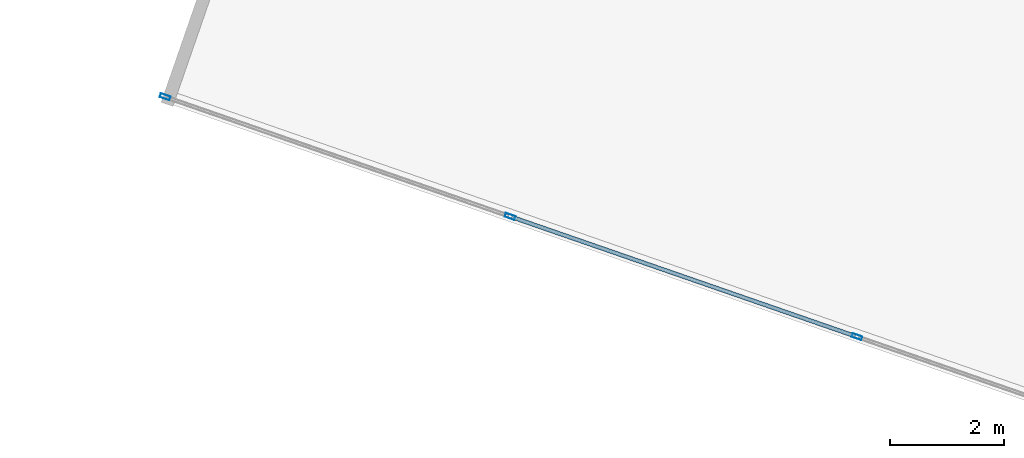
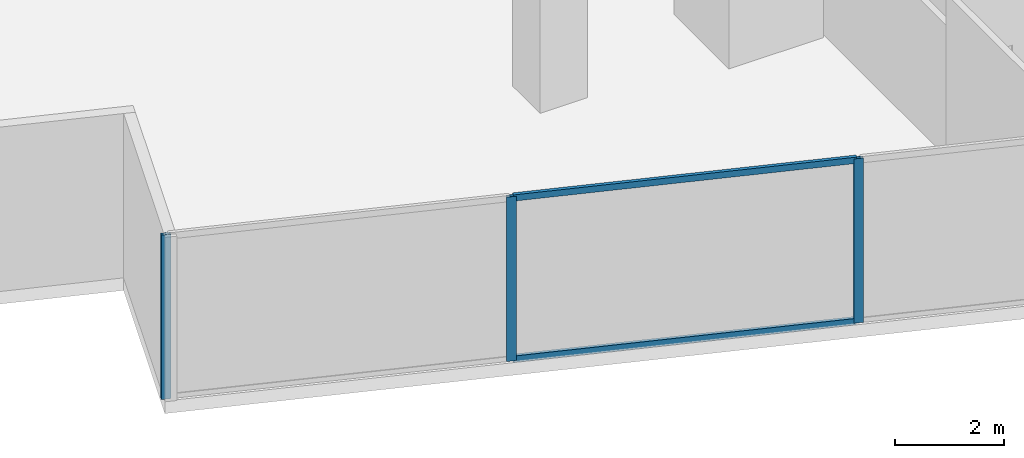
# One storey, part 2 of 28: 5 members, 1 element without a shape of its own.
"""IFC4 building model written with IfcOpenShell, lengths in metres."""

from ifc_helpers import new_model, si_unit, direction, frame, origin, origin_2d, place, context, subcontext, project, spatial, hollow_rectangle, extrude, source, transform, mapped, material, material_profile, profile_set, type_object, type_shapes, element, aggregate, save


model = new_model("IFC4")

# Units and contexts
model_context = context("Model", 3, precision=1e-05, world=origin(), true_north=direction((0.0, 1.0)))
body_context = subcontext(model_context, "Body", "Model", "MODEL_VIEW")
ifc_project = project(units=[si_unit("LENGTHUNIT", "METRE"), si_unit("AREAUNIT", "SQUARE_METRE"), si_unit("VOLUMEUNIT", "CUBIC_METRE"), si_unit("PLANEANGLEUNIT", "RADIAN"), si_unit("MASSUNIT", "GRAM", prefix="KILO")], contexts=[model_context])

# Site, building, storey
site_placement = place(None, origin())
site = spatial("IfcSite", under=ifc_project, at=site_placement, CompositionType="ELEMENT")
building_placement = place(site_placement, origin())
building = spatial("IfcBuilding", under=site, at=building_placement, Name="Krantzveldt Concourse Tower", CompositionType="ELEMENT")
storey_placement = place(building_placement, frame((0.0, 0.0, 117.699951171875)))
storey = spatial("IfcBuildingStorey", under=building, at=storey_placement, Name="L28", CompositionType="ELEMENT", Elevation=117.699951171875)

# Curtain wall, members
ifc_material = material(Name="Anodised aluminium 6063-T6", Category="aluminium")
curtain_wall_type = type_object("IfcCurtainWallType", Name="CW2", PredefinedType="USERDEFINED", material=ifc_material)
curtain_wall_placement = place(storey_placement, origin())
curtain_wall = element("IfcCurtainWall", 1, at=curtain_wall_placement, inside=storey, type_object=curtain_wall_type, Name="CW-L28-F04", ObjectType="UNITISED CURTAIN WALL", PredefinedType="USERDEFINED")
ifc_material_profile_1 = material_profile(ifc_material, hollow_rectangle(XDim=0.070068359375, YDim=0.179931640625, WallThickness=0.0048828125, at=origin_2d()), Name="Anodised aluminium 6063-T6", Category="aluminium")
ifc_profile_set_1 = profile_set([ifc_material_profile_1], Name="Anodised aluminium 6063-T6 - ALU-MULL 180x70x5")
member_type_1 = type_object("IfcMemberType", Name="CW-MUL-180", PredefinedType="MULLION", material=ifc_profile_set_1)
shared_shape_1 = source(origin(), body_context, "Body", "SweptSolid", [
    extrude(hollow_rectangle(XDim=0.070068359375, YDim=0.179931640625, WallThickness=0.0048828125, at=origin_2d()), origin(), (0.0, 0.0, 1.0), 3.670166015625),
])
type_shapes(member_type_1, [shared_shape_1])
member_1_placement = place(storey_placement, frame((10.06689453125, 11.021240234375, 0.0), z_axis=(0.0, 0.0, 1.0), x_axis=(0.32763019404, 0.944806041446, 0.0)))
member_1 = element("IfcMember", 2, at=member_1_placement, type_object=member_type_1, Name="CW-Z12 mullion 1", PredefinedType="MULLION", context=body_context, shape_type="MappedRepresentation", body=[
    mapped(shared_shape_1, transform((0.0, 0.0, 0.0), x_axis=(1.0, 0.0, 0.0), y_axis=(0.0, 1.0, 0.0), z_axis=(0.0, 0.0, 1.0), scale=1.0)),
])
member_2_placement = place(storey_placement, frame((16.1435546875, 8.913818359375, 0.0), z_axis=(0.0, 0.0, 1.0), x_axis=(0.32763019404, 0.944806041446, 0.0)))
member_2 = element("IfcMember", 3, at=member_2_placement, type_object=member_type_1, Name="CW-Z12 mullion 2", PredefinedType="MULLION", context=body_context, shape_type="MappedRepresentation", body=[
    mapped(shared_shape_1, transform((0.0, 0.0, 0.0), x_axis=(1.0, 0.0, 0.0), y_axis=(0.0, 1.0, 0.0), z_axis=(0.0, 0.0, 1.0), scale=1.0)),
])
member_3_placement = place(storey_placement, frame((22.253173828125, 6.795166015625, 0.0), z_axis=(0.0, 0.0, 1.0), x_axis=(0.32763019404, 0.944806041446, 0.0)))
member_3 = element("IfcMember", 4, at=member_3_placement, type_object=member_type_1, Name="CW-Z12 mullion 3", PredefinedType="MULLION", context=body_context, shape_type="MappedRepresentation", body=[
    mapped(shared_shape_1, transform((0.0, 0.0, 0.0), x_axis=(1.0, 0.0, 0.0), y_axis=(0.0, 1.0, 0.0), z_axis=(0.0, 0.0, 1.0), scale=1.0)),
])
ifc_material_profile_2 = material_profile(ifc_material, hollow_rectangle(XDim=0.070068359375, YDim=0.139892578125, WallThickness=0.0048828125, at=origin_2d()), Name="Anodised aluminium 6063-T6", Category="aluminium")
ifc_profile_set_2 = profile_set([ifc_material_profile_2], Name="Anodised aluminium 6063-T6 - ALU-TRAN 140x70x5")
member_type_2 = type_object("IfcMemberType", Name="CW-TRN-150", PredefinedType="USERDEFINED", material=ifc_profile_set_2)
shared_shape_2 = source(origin(), body_context, "Body", "SweptSolid", [
    extrude(hollow_rectangle(XDim=0.070068359375, YDim=0.139892578125, WallThickness=0.0048828125, at=origin_2d()), origin(), (0.0, 0.0, 1.0), 6.396728515625),
])
type_shapes(member_type_2, [shared_shape_2])
member_4_placement = place(storey_placement, frame((16.176513671875, 8.90234375, 0.03515625), z_axis=(0.944809422525, -0.327620443666, 0.0), x_axis=(0.327620443666, 0.944809422525, 0.0)))
member_4 = element("IfcMember", 5, at=member_4_placement, type_object=member_type_2, Name="CW-Z12 transom 2.1", ObjectType="TRANSOM", PredefinedType="USERDEFINED", context=body_context, shape_type="MappedRepresentation", body=[
    mapped(shared_shape_2, transform((0.0, 0.0, 0.0), x_axis=(1.0, 0.0, 0.0), y_axis=(0.0, 1.0, 0.0), z_axis=(0.0, 0.0, 1.0), scale=1.0)),
])
member_5_placement = place(storey_placement, frame((16.176513671875, 8.90234375, 3.635009765625), z_axis=(0.944809422525, -0.327620443666, 0.0), x_axis=(0.327620443666, 0.944809422525, 0.0)))
member_5 = element("IfcMember", 6, at=member_5_placement, type_object=member_type_2, Name="CW-Z12 transom 2.2", ObjectType="TRANSOM", PredefinedType="USERDEFINED", context=body_context, shape_type="MappedRepresentation", body=[
    mapped(shared_shape_2, transform((0.0, 0.0, 0.0), x_axis=(1.0, 0.0, 0.0), y_axis=(0.0, 1.0, 0.0), z_axis=(0.0, 0.0, 1.0), scale=1.0)),
])
aggregate(curtain_wall, [member_1, member_2, member_3, member_4, member_5])

save(model, "model.ifc")
